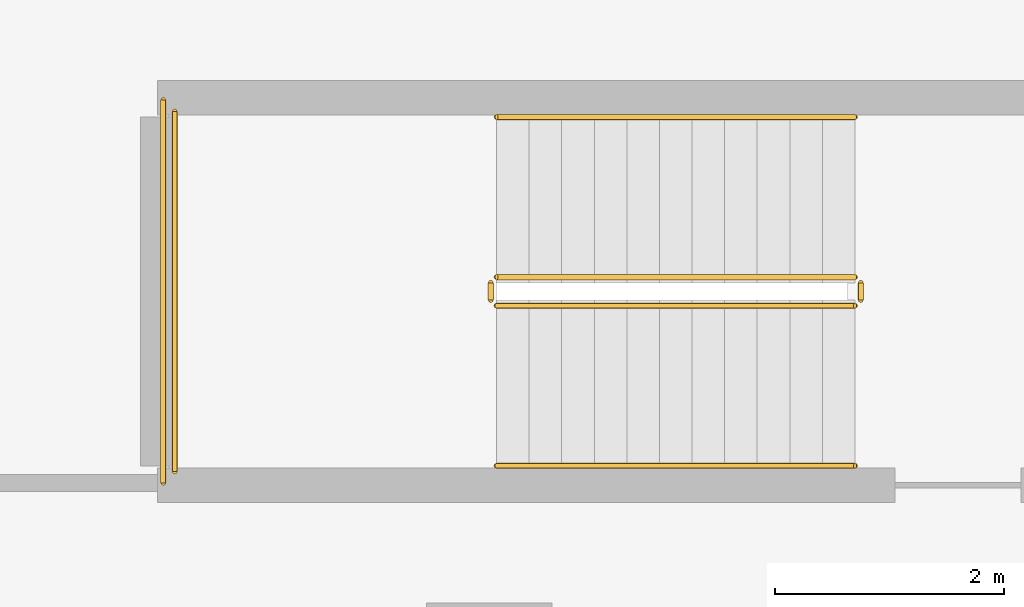
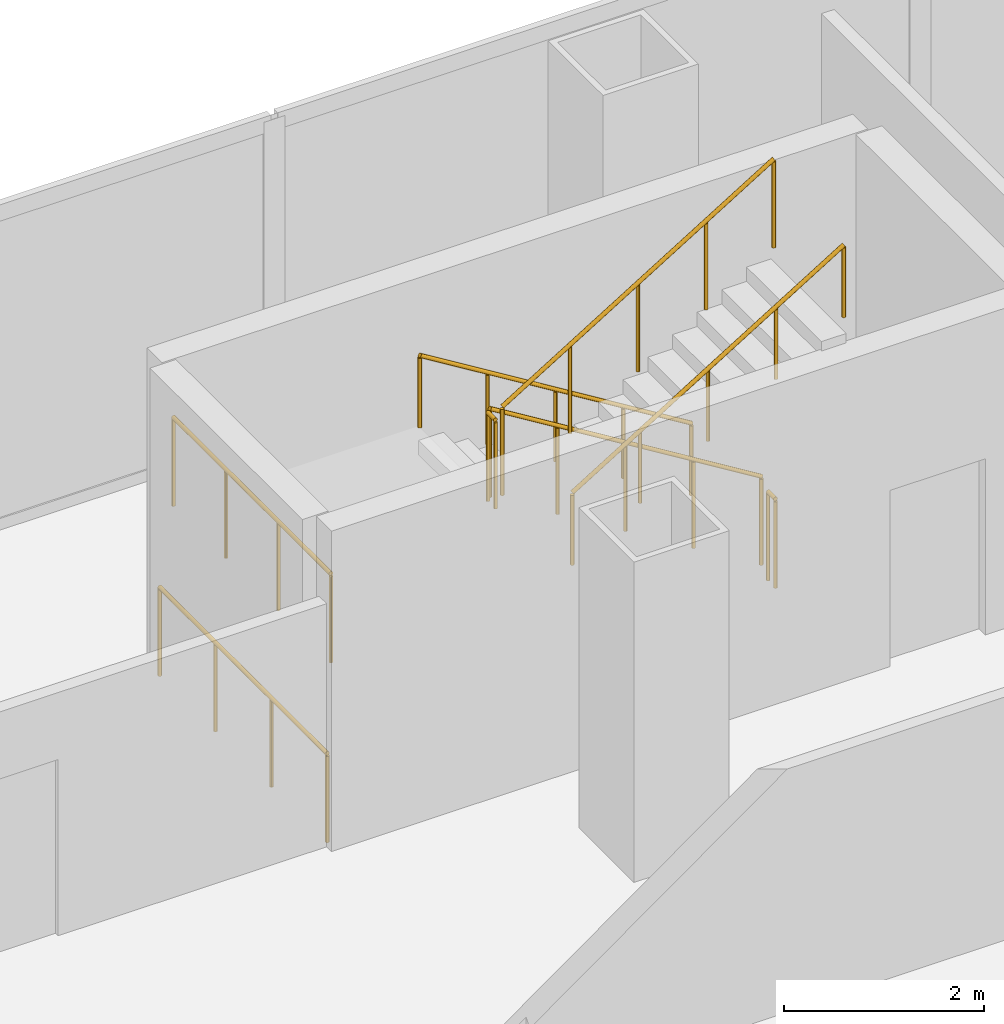
# One storey, part 28 of 28: 8 railings.
"""IFC4 building model written with IfcOpenShell, lengths in metres."""

from ifc_helpers import new_model, si_unit, direction, frame, origin, origin_2d, place, context, subcontext, project, spatial, circle, extrude, material, type_object, element, save


model = new_model("IFC4")

# Units and contexts
model_context = context("Model", 3, precision=1e-05, world=origin(), true_north=direction((0.0, 1.0)))
body_context = subcontext(model_context, "Body", "Model", "MODEL_VIEW")
ifc_project = project(units=[si_unit("LENGTHUNIT", "METRE"), si_unit("AREAUNIT", "SQUARE_METRE"), si_unit("VOLUMEUNIT", "CUBIC_METRE"), si_unit("PLANEANGLEUNIT", "RADIAN"), si_unit("MASSUNIT", "GRAM", prefix="KILO")], contexts=[model_context])

# Site, building, storey
site_placement = place(None, origin())
site = spatial("IfcSite", under=ifc_project, at=site_placement, CompositionType="ELEMENT")
building_placement = place(site_placement, origin())
building = spatial("IfcBuilding", under=site, at=building_placement, Name="Cobrela Telecom Tower", CompositionType="ELEMENT")
storey_placement = place(building_placement, frame((0.0, 0.0, 17.85009765625)))
storey = spatial("IfcBuildingStorey", under=building, at=storey_placement, Name="L04", CompositionType="ELEMENT", Elevation=17.85009765625)

# Railings
ifc_material = material(Name="Steel ASTM A36", Category="steel")
railing_type_1 = type_object("IfcRailingType", Name="RAIL-GUARD-1100", PredefinedType="GUARDRAIL", material=ifc_material)
railing_1_placement = place(storey_placement, frame((28.199951171875, 45.699951171875, 0.1748046875)))
element("IfcRailing", 1, at=railing_1_placement, inside=storey, type_object=railing_type_1, Name="L04 ST3 stair guard 1", PredefinedType="GUARDRAIL", context=body_context, shape_type="SweptSolid", body=[
    extrude(circle(Radius=0.02392578125, at=origin_2d()), frame((0.0, 0.0, 1.076171875), z_axis=(-0.852166034122, 0.0, 0.523271488128), x_axis=(0.0, -1.0, 0.0)), (0.0, 0.0, 1.0), 3.678955078125),
    extrude(circle(Radius=0.02099609375, at=origin_2d()), origin(), (0.0, 0.0, 1.0), 1.052001953125),
    extrude(circle(Radius=0.02099609375, at=origin_2d()), frame((-0.78369140625, 0.0, 0.481201171875)), (0.0, 0.0, 1.0), 1.052001953125),
    extrude(circle(Radius=0.02099609375, at=origin_2d()), frame((-1.5673828125, 0.0, 0.96240234375)), (0.0, 0.0, 1.0), 1.052001953125),
    extrude(circle(Radius=0.02099609375, at=origin_2d()), frame((-2.351318359375, 0.0, 1.44384765625)), (0.0, 0.0, 1.0), 1.052001953125),
    extrude(circle(Radius=0.02099609375, at=origin_2d()), frame((-3.135009765625, 0.0, 1.925048828125)), (0.0, 0.0, 1.0), 1.052001953125),
])
railing_2_placement = place(storey_placement, frame((25.014892578125, 45.64990234375, 2.099853515625)))
element("IfcRailing", 2, at=railing_2_placement, inside=storey, type_object=railing_type_1, Name="L04 ST3 stair guard 2", PredefinedType="GUARDRAIL", context=body_context, shape_type="SweptSolid", body=[
    extrude(circle(Radius=0.02392578125, at=origin_2d()), frame((0.0, 0.0, 1.076171875), z_axis=(0.0, -1.0, 0.0), x_axis=(1.0, 0.0, 0.0)), (0.0, 0.0, 1.0), 0.14990234375),
    extrude(circle(Radius=0.02099609375, at=origin_2d()), origin(), (0.0, 0.0, 1.0), 1.052001953125),
    extrude(circle(Radius=0.02099609375, at=origin_2d()), frame((0.0, -0.14990234375, 0.0)), (0.0, 0.0, 1.0), 1.052001953125),
])
railing_3_placement = place(storey_placement, frame((22.25, 47.14990234375, 2.099853515625)))
element("IfcRailing", 3, at=railing_3_placement, inside=storey, type_object=railing_type_1, Name="L04 ST3 stair guard 3", PredefinedType="GUARDRAIL", context=body_context, shape_type="SweptSolid", body=[
    extrude(circle(Radius=0.02392578125, at=origin_2d()), frame((0.0, 0.0, 1.076171875), z_axis=(0.0, -1.0, 0.0), x_axis=(1.0, 0.0, 0.0)), (0.0, 0.0, 1.0), 3.14990234375),
    extrude(circle(Radius=0.02099609375, at=origin_2d()), origin(), (0.0, 0.0, 1.0), 1.052001953125),
    extrude(circle(Radius=0.02099609375, at=origin_2d()), frame((0.0, -1.050048828125, 0.0)), (0.0, 0.0, 1.0), 1.052001953125),
    extrude(circle(Radius=0.02099609375, at=origin_2d()), frame((0.0, -2.099853515625, 0.0)), (0.0, 0.0, 1.0), 1.052001953125),
    extrude(circle(Radius=0.02099609375, at=origin_2d()), frame((0.0, -3.14990234375, 0.0)), (0.0, 0.0, 1.0), 1.052001953125),
])
railing_4_placement = place(storey_placement, frame((25.06494140625, 45.449951171875, 2.27490234375)))
element("IfcRailing", 4, at=railing_4_placement, inside=storey, type_object=railing_type_1, Name="L04 ST3 stair guard 4", PredefinedType="GUARDRAIL", context=body_context, shape_type="SweptSolid", body=[
    extrude(circle(Radius=0.02392578125, at=origin_2d()), frame((0.0, 0.0, 1.076171875), z_axis=(0.852166034122, 0.0, 0.523271488128), x_axis=(0.0, 1.0, 0.0)), (0.0, 0.0, 1.0), 3.678955078125),
    extrude(circle(Radius=0.02099609375, at=origin_2d()), origin(), (0.0, 0.0, 1.0), 1.052001953125),
    extrude(circle(Radius=0.02099609375, at=origin_2d()), frame((0.78369140625, 0.0, 0.481201171875)), (0.0, 0.0, 1.0), 1.052001953125),
    extrude(circle(Radius=0.02099609375, at=origin_2d()), frame((1.5673828125, 0.0, 0.96240234375)), (0.0, 0.0, 1.0), 1.052001953125),
    extrude(circle(Radius=0.02099609375, at=origin_2d()), frame((2.351318359375, 0.0, 1.44384765625)), (0.0, 0.0, 1.0), 1.052001953125),
    extrude(circle(Radius=0.02099609375, at=origin_2d()), frame((3.135009765625, 0.0, 1.925048828125)), (0.0, 0.0, 1.0), 1.052001953125),
])
railing_5_placement = place(storey_placement, frame((28.25, 45.64990234375, 0.0)))
element("IfcRailing", 5, at=railing_5_placement, inside=storey, type_object=railing_type_1, Name="L04 ST3 stair guard 5", PredefinedType="GUARDRAIL", context=body_context, shape_type="SweptSolid", body=[
    extrude(circle(Radius=0.02392578125, at=origin_2d()), frame((0.0, 0.0, 1.076171875), z_axis=(0.0, -1.0, 0.0), x_axis=(1.0, 0.0, 0.0)), (0.0, 0.0, 1.0), 0.14990234375),
    extrude(circle(Radius=0.02099609375, at=origin_2d()), origin(), (0.0, 0.0, 1.0), 1.052001953125),
    extrude(circle(Radius=0.02099609375, at=origin_2d()), frame((0.0, -0.14990234375, 0.0)), (0.0, 0.0, 1.0), 1.052001953125),
])
railing_6_placement = place(storey_placement, frame((22.14990234375, 47.25, 0.0)))
element("IfcRailing", 6, at=railing_6_placement, inside=storey, type_object=railing_type_1, Name="L04 ST3 stair guard 6", PredefinedType="GUARDRAIL", context=body_context, shape_type="SweptSolid", body=[
    extrude(circle(Radius=0.02392578125, at=origin_2d()), frame((0.0, 0.0, 1.076171875), z_axis=(0.0, -1.0, 0.0), x_axis=(1.0, 0.0, 0.0)), (0.0, 0.0, 1.0), 3.35009765625),
    extrude(circle(Radius=0.02099609375, at=origin_2d()), origin(), (0.0, 0.0, 1.0), 1.052001953125),
    extrude(circle(Radius=0.02099609375, at=origin_2d()), frame((0.0, -1.11669921875, 0.0)), (0.0, 0.0, 1.0), 1.052001953125),
    extrude(circle(Radius=0.02099609375, at=origin_2d()), frame((0.0, -2.2333984375, 0.0)), (0.0, 0.0, 1.0), 1.052001953125),
    extrude(circle(Radius=0.02099609375, at=origin_2d()), frame((0.0, -3.35009765625, 0.0)), (0.0, 0.0, 1.0), 1.052001953125),
])
railing_type_2 = type_object("IfcRailingType", Name="RAIL-HAND-920", PredefinedType="HANDRAIL", material=ifc_material)
railing_7_placement = place(storey_placement, frame((28.199951171875, 47.10009765625, 0.1748046875)))
element("IfcRailing", 7, at=railing_7_placement, inside=storey, type_object=railing_type_2, Name="L04 ST3 stair handrail 1", PredefinedType="HANDRAIL", context=body_context, shape_type="SweptSolid", body=[
    extrude(circle(Radius=0.02392578125, at=origin_2d()), frame((0.0, 0.0, 0.8759765625), z_axis=(-0.852166034122, 0.0, 0.523271488128), x_axis=(0.0, -1.0, 0.0)), (0.0, 0.0, 1.0), 3.678955078125),
    extrude(circle(Radius=0.02099609375, at=origin_2d()), origin(), (0.0, 0.0, 1.0), 0.851806640625),
    extrude(circle(Radius=0.02099609375, at=origin_2d()), frame((-0.78369140625, 0.0, 0.481201171875)), (0.0, 0.0, 1.0), 0.851806640625),
    extrude(circle(Radius=0.02099609375, at=origin_2d()), frame((-1.5673828125, 0.0, 0.96240234375)), (0.0, 0.0, 1.0), 0.851806640625),
    extrude(circle(Radius=0.02099609375, at=origin_2d()), frame((-2.351318359375, 0.0, 1.44384765625)), (0.0, 0.0, 1.0), 0.851806640625),
    extrude(circle(Radius=0.02099609375, at=origin_2d()), frame((-3.135009765625, 0.0, 1.925048828125)), (0.0, 0.0, 1.0), 0.851806640625),
])
railing_8_placement = place(storey_placement, frame((25.06494140625, 44.050048828125, 2.27490234375)))
element("IfcRailing", 8, at=railing_8_placement, inside=storey, type_object=railing_type_2, Name="L04 ST3 stair handrail 2", PredefinedType="HANDRAIL", context=body_context, shape_type="SweptSolid", body=[
    extrude(circle(Radius=0.02392578125, at=origin_2d()), frame((0.0, 0.0, 0.8759765625), z_axis=(0.852166034122, 0.0, 0.523271488128), x_axis=(0.0, 1.0, 0.0)), (0.0, 0.0, 1.0), 3.678955078125),
    extrude(circle(Radius=0.02099609375, at=origin_2d()), origin(), (0.0, 0.0, 1.0), 0.851806640625),
    extrude(circle(Radius=0.02099609375, at=origin_2d()), frame((0.78369140625, 0.0, 0.481201171875)), (0.0, 0.0, 1.0), 0.851806640625),
    extrude(circle(Radius=0.02099609375, at=origin_2d()), frame((1.5673828125, 0.0, 0.96240234375)), (0.0, 0.0, 1.0), 0.851806640625),
    extrude(circle(Radius=0.02099609375, at=origin_2d()), frame((2.351318359375, 0.0, 1.44384765625)), (0.0, 0.0, 1.0), 0.851806640625),
    extrude(circle(Radius=0.02099609375, at=origin_2d()), frame((3.135009765625, 0.0, 1.925048828125)), (0.0, 0.0, 1.0), 0.851806640625),
])

save(model, "model.ifc")
